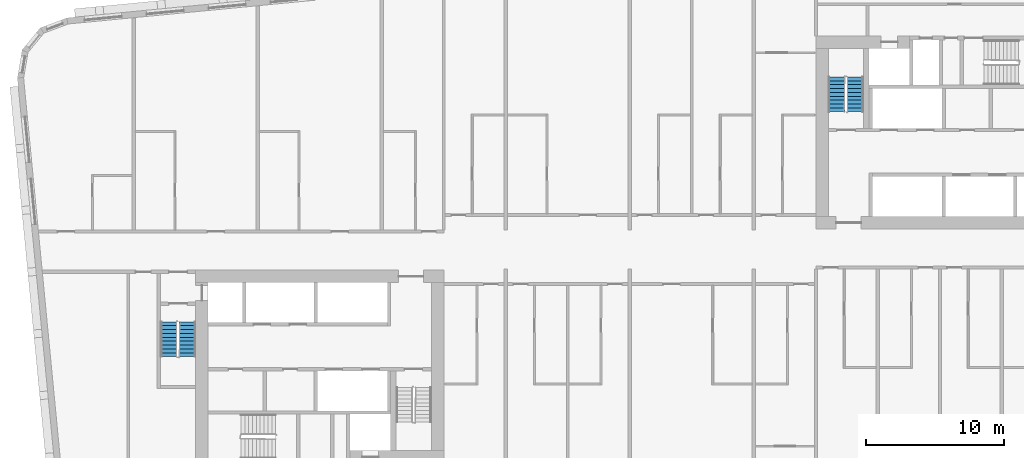
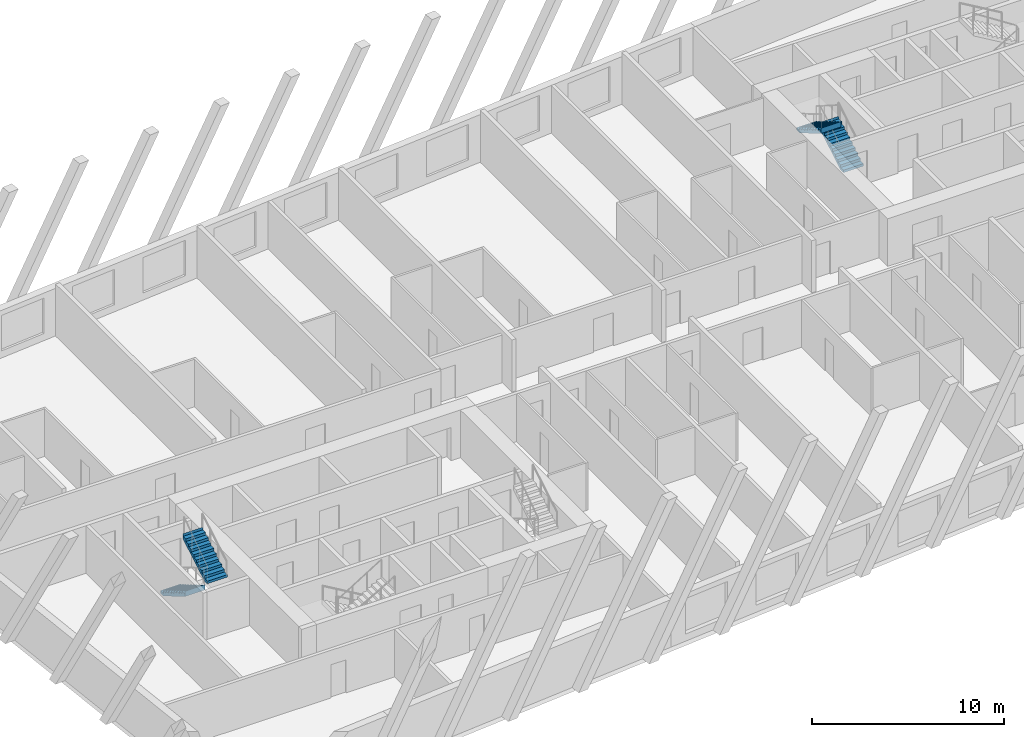
# One storey, part 10 of 13: 4 stair flights, 2 elements without a shape of their own.
"""IFC4 building model written with IfcOpenShell, lengths in metres."""

from ifc_helpers import new_model, si_unit, direction, frame, origin, place, context, subcontext, project, spatial, faceted_brep, material, type_object, element, aggregate, save


model = new_model("IFC4")

# Units and contexts
model_context = context("Model", 3, precision=1e-05, world=origin(), true_north=direction((0.0, 1.0)))
body_context = subcontext(model_context, "Body", "Model", "MODEL_VIEW")
ifc_project = project(units=[si_unit("LENGTHUNIT", "METRE"), si_unit("AREAUNIT", "SQUARE_METRE"), si_unit("VOLUMEUNIT", "CUBIC_METRE"), si_unit("PLANEANGLEUNIT", "RADIAN"), si_unit("MASSUNIT", "GRAM", prefix="KILO")], contexts=[model_context])

# Site, building, storey
site_placement = place(None, origin())
site = spatial("IfcSite", under=ifc_project, at=site_placement, CompositionType="ELEMENT")
building_placement = place(site_placement, origin())
building = spatial("IfcBuilding", under=site, at=building_placement, Name="Kajstack Hotel Tower", CompositionType="ELEMENT")
storey_placement = place(building_placement, frame((0.0, 0.0, 196.60009765625)))
storey = spatial("IfcBuildingStorey", under=building, at=storey_placement, Name="L47", CompositionType="ELEMENT", Elevation=196.60009765625)

# Stair, stair flights
ifc_material = material(Name="Concrete C40/50", Category="concrete")
stair_type = type_object("IfcStairType", Name="Exit stair 1200", PredefinedType="HALF_TURN_STAIR", material=ifc_material)
stair_1_placement = place(storey_placement, origin())
stair_1 = element("IfcStair", 1, at=stair_1_placement, inside=storey, type_object=stair_type, Name="L47 stair W1", PredefinedType="HALF_TURN_STAIR")
stair_flight_type = type_object("IfcStairFlightType", Name="Exit stair flight 1200", PredefinedType="STRAIGHT", material=ifc_material)
stair_flight_1_placement = place(storey_placement, frame((-33.449951171875, -5.25, 0.0), z_axis=(0.0, 0.0, 1.0), x_axis=(0.0, -1.0, 0.0)))
stair_flight_1 = element("IfcStairFlight", 2, at=stair_flight_1_placement, type_object=stair_flight_type, Name="W1 flight 1", NumberOfRisers=10, NumberOfTreads=9, PredefinedType="STRAIGHT", RiserHeight=0.165, TreadLength=0.28, context=body_context, shape_type="Brep", body=[
    faceted_brep([(0.295654296875, -0.60009765625, 0.0), (2.5205078125, -0.60009765625, 1.31103515625), (2.5205078125, -0.60009765625, 1.64990234375), (2.52001953125, -0.60009765625, 1.64990234375), (2.52001953125, -0.60009765625, 1.485107421875), (2.239990234375, -0.60009765625, 1.485107421875), (2.239990234375, -0.60009765625, 1.320068359375), (1.9599609375, -0.60009765625, 1.320068359375), (1.9599609375, -0.60009765625, 1.155029296875), (1.679931640625, -0.60009765625, 1.155029296875), (1.679931640625, -0.60009765625, 0.989990234375), (1.39990234375, -0.60009765625, 0.989990234375), (1.39990234375, -0.60009765625, 0.824951171875), (1.1201171875, -0.60009765625, 0.824951171875), (1.1201171875, -0.60009765625, 0.659912109375), (0.840087890625, -0.60009765625, 0.659912109375), (0.840087890625, -0.60009765625, 0.4951171875), (0.56005859375, -0.60009765625, 0.4951171875), (0.56005859375, -0.60009765625, 0.330078125), (0.280029296875, -0.60009765625, 0.330078125), (0.280029296875, -0.60009765625, 0.1650390625), (-0.00048828125, -0.60009765625, 0.1650390625), (-0.00048828125, -0.60009765625, 0.0), (-0.00048828125, 0.60009765625, 0.0), (-0.00048828125, 0.60009765625, 0.1650390625), (0.280029296875, 0.60009765625, 0.1650390625), (0.280029296875, 0.60009765625, 0.330078125), (0.56005859375, 0.60009765625, 0.330078125), (0.56005859375, 0.60009765625, 0.4951171875), (0.840087890625, 0.60009765625, 0.4951171875), (0.840087890625, 0.60009765625, 0.659912109375), (1.1201171875, 0.60009765625, 0.659912109375), (1.1201171875, 0.60009765625, 0.824951171875), (1.39990234375, 0.60009765625, 0.824951171875), (1.39990234375, 0.60009765625, 0.989990234375), (1.679931640625, 0.60009765625, 0.989990234375), (1.679931640625, 0.60009765625, 1.155029296875), (1.9599609375, 0.60009765625, 1.155029296875), (1.9599609375, 0.60009765625, 1.320068359375), (2.239990234375, 0.60009765625, 1.320068359375), (2.239990234375, 0.60009765625, 1.485107421875), (2.52001953125, 0.60009765625, 1.485107421875), (2.52001953125, 0.60009765625, 1.64990234375), (2.5205078125, 0.60009765625, 1.64990234375), (2.5205078125, 0.60009765625, 1.31103515625), (0.295654296875, 0.60009765625, 0.0), (-0.00048828125, -0.300048828125, 0.1650390625), (-0.00048828125, 0.0, 0.1650390625), (-0.00048828125, 0.300048828125, 0.1650390625), (-0.00048828125, 0.300048828125, 0.0), (-0.00048828125, 0.0, 0.0), (-0.00048828125, -0.300048828125, 0.0), (0.280029296875, -0.300048828125, 0.1650390625), (0.280029296875, 0.0, 0.1650390625), (0.280029296875, 0.300048828125, 0.1650390625), (0.280029296875, -0.300048828125, 0.330078125), (0.280029296875, 0.0, 0.330078125), (0.280029296875, 0.300048828125, 0.330078125), (0.56005859375, -0.300048828125, 0.330078125), (0.56005859375, 0.0, 0.330078125), (0.56005859375, 0.300048828125, 0.330078125), (0.56005859375, -0.300048828125, 0.4951171875), (0.56005859375, 0.0, 0.4951171875), (0.56005859375, 0.300048828125, 0.4951171875), (0.840087890625, -0.300048828125, 0.4951171875), (0.840087890625, 0.0, 0.4951171875), (0.840087890625, 0.300048828125, 0.4951171875), (0.840087890625, -0.300048828125, 0.659912109375), (0.840087890625, 0.0, 0.659912109375), (0.840087890625, 0.300048828125, 0.659912109375), (1.1201171875, -0.300048828125, 0.659912109375), (1.1201171875, 0.0, 0.659912109375), (1.1201171875, 0.300048828125, 0.659912109375), (1.1201171875, -0.300048828125, 0.824951171875), (1.1201171875, 0.0, 0.824951171875), (1.1201171875, 0.300048828125, 0.824951171875), (1.39990234375, -0.300048828125, 0.824951171875), (1.39990234375, 0.0, 0.824951171875), (1.39990234375, 0.300048828125, 0.824951171875), (1.39990234375, -0.300048828125, 0.989990234375), (1.39990234375, 0.0, 0.989990234375), (1.39990234375, 0.300048828125, 0.989990234375), (1.679931640625, -0.300048828125, 0.989990234375), (1.679931640625, 0.0, 0.989990234375), (1.679931640625, 0.300048828125, 0.989990234375), (1.679931640625, -0.300048828125, 1.155029296875), (1.679931640625, 0.0, 1.155029296875), (1.679931640625, 0.300048828125, 1.155029296875), (1.9599609375, -0.300048828125, 1.155029296875), (1.9599609375, 0.0, 1.155029296875), (1.9599609375, 0.300048828125, 1.155029296875), (1.9599609375, -0.300048828125, 1.320068359375), (1.9599609375, 0.0, 1.320068359375), (1.9599609375, 0.300048828125, 1.320068359375), (2.239990234375, -0.300048828125, 1.320068359375), (2.239990234375, 0.0, 1.320068359375), (2.239990234375, 0.300048828125, 1.320068359375), (2.239990234375, -0.300048828125, 1.485107421875), (2.239990234375, 0.0, 1.485107421875), (2.239990234375, 0.300048828125, 1.485107421875), (2.52001953125, -0.300048828125, 1.485107421875), (2.52001953125, 0.0, 1.485107421875), (2.52001953125, 0.300048828125, 1.485107421875), (2.52001953125, -0.300048828125, 1.64990234375), (2.52001953125, 0.0, 1.64990234375), (2.52001953125, 0.300048828125, 1.64990234375), (2.5205078125, -0.300048828125, 1.64990234375), (2.5205078125, 0.0, 1.64990234375), (2.5205078125, 0.300048828125, 1.64990234375), (2.5205078125, -0.300048828125, 1.31103515625), (2.5205078125, 0.0, 1.31103515625), (2.5205078125, 0.300048828125, 1.31103515625), (0.295654296875, -0.300048828125, 0.0), (0.295654296875, 0.0, 0.0), (0.295654296875, 0.300048828125, 0.0)], [[[0, 1, 2, 3, 4, 5, 6, 7, 8, 9, 10, 11, 12, 13, 14, 15, 16, 17, 18, 19, 20, 21, 22]], [[23, 24, 25, 26, 27, 28, 29, 30, 31, 32, 33, 34, 35, 36, 37, 38, 39, 40, 41, 42, 43, 44, 45]], [[21, 46, 47, 48, 24, 23, 49, 50, 51, 22]], [[20, 52, 53, 54, 25, 24, 48, 47, 46, 21]], [[19, 55, 56, 57, 26, 25, 54, 53, 52, 20]], [[18, 58, 59, 60, 27, 26, 57, 56, 55, 19]], [[17, 61, 62, 63, 28, 27, 60, 59, 58, 18]], [[16, 64, 65, 66, 29, 28, 63, 62, 61, 17]], [[15, 67, 68, 69, 30, 29, 66, 65, 64, 16]], [[14, 70, 71, 72, 31, 30, 69, 68, 67, 15]], [[13, 73, 74, 75, 32, 31, 72, 71, 70, 14]], [[12, 76, 77, 78, 33, 32, 75, 74, 73, 13]], [[11, 79, 80, 81, 34, 33, 78, 77, 76, 12]], [[10, 82, 83, 84, 35, 34, 81, 80, 79, 11]], [[9, 85, 86, 87, 36, 35, 84, 83, 82, 10]], [[8, 88, 89, 90, 37, 36, 87, 86, 85, 9]], [[7, 91, 92, 93, 38, 37, 90, 89, 88, 8]], [[6, 94, 95, 96, 39, 38, 93, 92, 91, 7]], [[5, 97, 98, 99, 40, 39, 96, 95, 94, 6]], [[4, 100, 101, 102, 41, 40, 99, 98, 97, 5]], [[3, 103, 104, 105, 42, 41, 102, 101, 100, 4]], [[2, 106, 107, 108, 43, 42, 105, 104, 103, 3]], [[1, 109, 110, 111, 44, 43, 108, 107, 106, 2]], [[0, 112, 113, 114, 45, 44, 111, 110, 109, 1]], [[22, 51, 50, 49, 23, 45, 114, 113, 112, 0]]]),
])
stair_flight_2_placement = place(storey_placement, frame((-32.10009765625, -7.77001953125, 1.64990234375), z_axis=(0.0, 0.0, 1.0), x_axis=(0.0, 1.0, 0.0)))
stair_flight_2 = element("IfcStairFlight", 3, at=stair_flight_2_placement, type_object=stair_flight_type, Name="W1 flight 2", NumberOfRisers=10, NumberOfTreads=9, PredefinedType="STRAIGHT", RiserHeight=0.165, TreadLength=0.28, context=body_context, shape_type="Brep", body=[
    faceted_brep([(0.295654296875, -0.60009765625, 0.0), (2.5205078125, -0.60009765625, 1.31103515625), (2.5205078125, -0.60009765625, 1.64990234375), (2.52001953125, -0.60009765625, 1.64990234375), (2.52001953125, -0.60009765625, 1.485107421875), (2.239990234375, -0.60009765625, 1.485107421875), (2.239990234375, -0.60009765625, 1.320068359375), (1.9599609375, -0.60009765625, 1.320068359375), (1.9599609375, -0.60009765625, 1.155029296875), (1.679931640625, -0.60009765625, 1.155029296875), (1.679931640625, -0.60009765625, 0.989990234375), (1.39990234375, -0.60009765625, 0.989990234375), (1.39990234375, -0.60009765625, 0.824951171875), (1.1201171875, -0.60009765625, 0.824951171875), (1.1201171875, -0.60009765625, 0.659912109375), (0.840087890625, -0.60009765625, 0.659912109375), (0.840087890625, -0.60009765625, 0.4951171875), (0.56005859375, -0.60009765625, 0.4951171875), (0.56005859375, -0.60009765625, 0.330078125), (0.280029296875, -0.60009765625, 0.330078125), (0.280029296875, -0.60009765625, 0.1650390625), (-0.00048828125, -0.60009765625, 0.1650390625), (-0.00048828125, -0.60009765625, 0.0), (-0.00048828125, 0.60009765625, 0.0), (-0.00048828125, 0.60009765625, 0.1650390625), (0.280029296875, 0.60009765625, 0.1650390625), (0.280029296875, 0.60009765625, 0.330078125), (0.56005859375, 0.60009765625, 0.330078125), (0.56005859375, 0.60009765625, 0.4951171875), (0.840087890625, 0.60009765625, 0.4951171875), (0.840087890625, 0.60009765625, 0.659912109375), (1.1201171875, 0.60009765625, 0.659912109375), (1.1201171875, 0.60009765625, 0.824951171875), (1.39990234375, 0.60009765625, 0.824951171875), (1.39990234375, 0.60009765625, 0.989990234375), (1.679931640625, 0.60009765625, 0.989990234375), (1.679931640625, 0.60009765625, 1.155029296875), (1.9599609375, 0.60009765625, 1.155029296875), (1.9599609375, 0.60009765625, 1.320068359375), (2.239990234375, 0.60009765625, 1.320068359375), (2.239990234375, 0.60009765625, 1.485107421875), (2.52001953125, 0.60009765625, 1.485107421875), (2.52001953125, 0.60009765625, 1.64990234375), (2.5205078125, 0.60009765625, 1.64990234375), (2.5205078125, 0.60009765625, 1.31103515625), (0.295654296875, 0.60009765625, 0.0), (-0.00048828125, -0.300048828125, 0.1650390625), (-0.00048828125, 0.0, 0.1650390625), (-0.00048828125, 0.300048828125, 0.1650390625), (-0.00048828125, 0.300048828125, 0.0), (-0.00048828125, 0.0, 0.0), (-0.00048828125, -0.300048828125, 0.0), (0.280029296875, -0.300048828125, 0.1650390625), (0.280029296875, 0.0, 0.1650390625), (0.280029296875, 0.300048828125, 0.1650390625), (0.280029296875, -0.300048828125, 0.330078125), (0.280029296875, 0.0, 0.330078125), (0.280029296875, 0.300048828125, 0.330078125), (0.56005859375, -0.300048828125, 0.330078125), (0.56005859375, 0.0, 0.330078125), (0.56005859375, 0.300048828125, 0.330078125), (0.56005859375, -0.300048828125, 0.4951171875), (0.56005859375, 0.0, 0.4951171875), (0.56005859375, 0.300048828125, 0.4951171875), (0.840087890625, -0.300048828125, 0.4951171875), (0.840087890625, 0.0, 0.4951171875), (0.840087890625, 0.300048828125, 0.4951171875), (0.840087890625, -0.300048828125, 0.659912109375), (0.840087890625, 0.0, 0.659912109375), (0.840087890625, 0.300048828125, 0.659912109375), (1.1201171875, -0.300048828125, 0.659912109375), (1.1201171875, 0.0, 0.659912109375), (1.1201171875, 0.300048828125, 0.659912109375), (1.1201171875, -0.300048828125, 0.824951171875), (1.1201171875, 0.0, 0.824951171875), (1.1201171875, 0.300048828125, 0.824951171875), (1.39990234375, -0.300048828125, 0.824951171875), (1.39990234375, 0.0, 0.824951171875), (1.39990234375, 0.300048828125, 0.824951171875), (1.39990234375, -0.300048828125, 0.989990234375), (1.39990234375, 0.0, 0.989990234375), (1.39990234375, 0.300048828125, 0.989990234375), (1.679931640625, -0.300048828125, 0.989990234375), (1.679931640625, 0.0, 0.989990234375), (1.679931640625, 0.300048828125, 0.989990234375), (1.679931640625, -0.300048828125, 1.155029296875), (1.679931640625, 0.0, 1.155029296875), (1.679931640625, 0.300048828125, 1.155029296875), (1.9599609375, -0.300048828125, 1.155029296875), (1.9599609375, 0.0, 1.155029296875), (1.9599609375, 0.300048828125, 1.155029296875), (1.9599609375, -0.300048828125, 1.320068359375), (1.9599609375, 0.0, 1.320068359375), (1.9599609375, 0.300048828125, 1.320068359375), (2.239990234375, -0.300048828125, 1.320068359375), (2.239990234375, 0.0, 1.320068359375), (2.239990234375, 0.300048828125, 1.320068359375), (2.239990234375, -0.300048828125, 1.485107421875), (2.239990234375, 0.0, 1.485107421875), (2.239990234375, 0.300048828125, 1.485107421875), (2.52001953125, -0.300048828125, 1.485107421875), (2.52001953125, 0.0, 1.485107421875), (2.52001953125, 0.300048828125, 1.485107421875), (2.52001953125, -0.300048828125, 1.64990234375), (2.52001953125, 0.0, 1.64990234375), (2.52001953125, 0.300048828125, 1.64990234375), (2.5205078125, -0.300048828125, 1.64990234375), (2.5205078125, 0.0, 1.64990234375), (2.5205078125, 0.300048828125, 1.64990234375), (2.5205078125, -0.300048828125, 1.31103515625), (2.5205078125, 0.0, 1.31103515625), (2.5205078125, 0.300048828125, 1.31103515625), (0.295654296875, -0.300048828125, 0.0), (0.295654296875, 0.0, 0.0), (0.295654296875, 0.300048828125, 0.0)], [[[0, 1, 2, 3, 4, 5, 6, 7, 8, 9, 10, 11, 12, 13, 14, 15, 16, 17, 18, 19, 20, 21, 22]], [[23, 24, 25, 26, 27, 28, 29, 30, 31, 32, 33, 34, 35, 36, 37, 38, 39, 40, 41, 42, 43, 44, 45]], [[21, 46, 47, 48, 24, 23, 49, 50, 51, 22]], [[20, 52, 53, 54, 25, 24, 48, 47, 46, 21]], [[19, 55, 56, 57, 26, 25, 54, 53, 52, 20]], [[18, 58, 59, 60, 27, 26, 57, 56, 55, 19]], [[17, 61, 62, 63, 28, 27, 60, 59, 58, 18]], [[16, 64, 65, 66, 29, 28, 63, 62, 61, 17]], [[15, 67, 68, 69, 30, 29, 66, 65, 64, 16]], [[14, 70, 71, 72, 31, 30, 69, 68, 67, 15]], [[13, 73, 74, 75, 32, 31, 72, 71, 70, 14]], [[12, 76, 77, 78, 33, 32, 75, 74, 73, 13]], [[11, 79, 80, 81, 34, 33, 78, 77, 76, 12]], [[10, 82, 83, 84, 35, 34, 81, 80, 79, 11]], [[9, 85, 86, 87, 36, 35, 84, 83, 82, 10]], [[8, 88, 89, 90, 37, 36, 87, 86, 85, 9]], [[7, 91, 92, 93, 38, 37, 90, 89, 88, 8]], [[6, 94, 95, 96, 39, 38, 93, 92, 91, 7]], [[5, 97, 98, 99, 40, 39, 96, 95, 94, 6]], [[4, 100, 101, 102, 41, 40, 99, 98, 97, 5]], [[3, 103, 104, 105, 42, 41, 102, 101, 100, 4]], [[2, 106, 107, 108, 43, 42, 105, 104, 103, 3]], [[1, 109, 110, 111, 44, 43, 108, 107, 106, 2]], [[0, 112, 113, 114, 45, 44, 111, 110, 109, 1]], [[22, 51, 50, 49, 23, 45, 114, 113, 112, 0]]]),
])
aggregate(stair_1, [stair_flight_1, stair_flight_2])

stair_2_placement = place(storey_placement, origin())
stair_2 = element("IfcStair", 4, at=stair_2_placement, inside=storey, type_object=stair_type, Name="L47 stair E2", PredefinedType="HALF_TURN_STAIR")
stair_flight_3_placement = place(storey_placement, frame((16.35009765625, 10.0, 0.0), z_axis=(0.0, 0.0, 1.0), x_axis=(0.0, 1.0, 0.0)))
stair_flight_3 = element("IfcStairFlight", 5, at=stair_flight_3_placement, type_object=stair_flight_type, Name="E2 flight 1", NumberOfRisers=10, NumberOfTreads=9, PredefinedType="STRAIGHT", RiserHeight=0.165, TreadLength=0.28, context=body_context, shape_type="Brep", body=[
    faceted_brep([(0.295654296875, -0.60009765625, 0.0), (2.5205078125, -0.60009765625, 1.31103515625), (2.5205078125, -0.60009765625, 1.64990234375), (2.52001953125, -0.60009765625, 1.64990234375), (2.52001953125, -0.60009765625, 1.485107421875), (2.239990234375, -0.60009765625, 1.485107421875), (2.239990234375, -0.60009765625, 1.320068359375), (1.9599609375, -0.60009765625, 1.320068359375), (1.9599609375, -0.60009765625, 1.155029296875), (1.679931640625, -0.60009765625, 1.155029296875), (1.679931640625, -0.60009765625, 0.989990234375), (1.39990234375, -0.60009765625, 0.989990234375), (1.39990234375, -0.60009765625, 0.824951171875), (1.1201171875, -0.60009765625, 0.824951171875), (1.1201171875, -0.60009765625, 0.659912109375), (0.840087890625, -0.60009765625, 0.659912109375), (0.840087890625, -0.60009765625, 0.4951171875), (0.56005859375, -0.60009765625, 0.4951171875), (0.56005859375, -0.60009765625, 0.330078125), (0.280029296875, -0.60009765625, 0.330078125), (0.280029296875, -0.60009765625, 0.1650390625), (-0.00048828125, -0.60009765625, 0.1650390625), (-0.00048828125, -0.60009765625, 0.0), (-0.00048828125, 0.60009765625, 0.0), (-0.00048828125, 0.60009765625, 0.1650390625), (0.280029296875, 0.60009765625, 0.1650390625), (0.280029296875, 0.60009765625, 0.330078125), (0.56005859375, 0.60009765625, 0.330078125), (0.56005859375, 0.60009765625, 0.4951171875), (0.840087890625, 0.60009765625, 0.4951171875), (0.840087890625, 0.60009765625, 0.659912109375), (1.1201171875, 0.60009765625, 0.659912109375), (1.1201171875, 0.60009765625, 0.824951171875), (1.39990234375, 0.60009765625, 0.824951171875), (1.39990234375, 0.60009765625, 0.989990234375), (1.679931640625, 0.60009765625, 0.989990234375), (1.679931640625, 0.60009765625, 1.155029296875), (1.9599609375, 0.60009765625, 1.155029296875), (1.9599609375, 0.60009765625, 1.320068359375), (2.239990234375, 0.60009765625, 1.320068359375), (2.239990234375, 0.60009765625, 1.485107421875), (2.52001953125, 0.60009765625, 1.485107421875), (2.52001953125, 0.60009765625, 1.64990234375), (2.5205078125, 0.60009765625, 1.64990234375), (2.5205078125, 0.60009765625, 1.31103515625), (0.295654296875, 0.60009765625, 0.0), (-0.00048828125, -0.300048828125, 0.1650390625), (-0.00048828125, 0.0, 0.1650390625), (-0.00048828125, 0.300048828125, 0.1650390625), (-0.00048828125, 0.300048828125, 0.0), (-0.00048828125, 0.0, 0.0), (-0.00048828125, -0.300048828125, 0.0), (0.280029296875, -0.300048828125, 0.1650390625), (0.280029296875, 0.0, 0.1650390625), (0.280029296875, 0.300048828125, 0.1650390625), (0.280029296875, -0.300048828125, 0.330078125), (0.280029296875, 0.0, 0.330078125), (0.280029296875, 0.300048828125, 0.330078125), (0.56005859375, -0.300048828125, 0.330078125), (0.56005859375, 0.0, 0.330078125), (0.56005859375, 0.300048828125, 0.330078125), (0.56005859375, -0.300048828125, 0.4951171875), (0.56005859375, 0.0, 0.4951171875), (0.56005859375, 0.300048828125, 0.4951171875), (0.840087890625, -0.300048828125, 0.4951171875), (0.840087890625, 0.0, 0.4951171875), (0.840087890625, 0.300048828125, 0.4951171875), (0.840087890625, -0.300048828125, 0.659912109375), (0.840087890625, 0.0, 0.659912109375), (0.840087890625, 0.300048828125, 0.659912109375), (1.1201171875, -0.300048828125, 0.659912109375), (1.1201171875, 0.0, 0.659912109375), (1.1201171875, 0.300048828125, 0.659912109375), (1.1201171875, -0.300048828125, 0.824951171875), (1.1201171875, 0.0, 0.824951171875), (1.1201171875, 0.300048828125, 0.824951171875), (1.39990234375, -0.300048828125, 0.824951171875), (1.39990234375, 0.0, 0.824951171875), (1.39990234375, 0.300048828125, 0.824951171875), (1.39990234375, -0.300048828125, 0.989990234375), (1.39990234375, 0.0, 0.989990234375), (1.39990234375, 0.300048828125, 0.989990234375), (1.679931640625, -0.300048828125, 0.989990234375), (1.679931640625, 0.0, 0.989990234375), (1.679931640625, 0.300048828125, 0.989990234375), (1.679931640625, -0.300048828125, 1.155029296875), (1.679931640625, 0.0, 1.155029296875), (1.679931640625, 0.300048828125, 1.155029296875), (1.9599609375, -0.300048828125, 1.155029296875), (1.9599609375, 0.0, 1.155029296875), (1.9599609375, 0.300048828125, 1.155029296875), (1.9599609375, -0.300048828125, 1.320068359375), (1.9599609375, 0.0, 1.320068359375), (1.9599609375, 0.300048828125, 1.320068359375), (2.239990234375, -0.300048828125, 1.320068359375), (2.239990234375, 0.0, 1.320068359375), (2.239990234375, 0.300048828125, 1.320068359375), (2.239990234375, -0.300048828125, 1.485107421875), (2.239990234375, 0.0, 1.485107421875), (2.239990234375, 0.300048828125, 1.485107421875), (2.52001953125, -0.300048828125, 1.485107421875), (2.52001953125, 0.0, 1.485107421875), (2.52001953125, 0.300048828125, 1.485107421875), (2.52001953125, -0.300048828125, 1.64990234375), (2.52001953125, 0.0, 1.64990234375), (2.52001953125, 0.300048828125, 1.64990234375), (2.5205078125, -0.300048828125, 1.64990234375), (2.5205078125, 0.0, 1.64990234375), (2.5205078125, 0.300048828125, 1.64990234375), (2.5205078125, -0.300048828125, 1.31103515625), (2.5205078125, 0.0, 1.31103515625), (2.5205078125, 0.300048828125, 1.31103515625), (0.295654296875, -0.300048828125, 0.0), (0.295654296875, 0.0, 0.0), (0.295654296875, 0.300048828125, 0.0)], [[[0, 1, 2, 3, 4, 5, 6, 7, 8, 9, 10, 11, 12, 13, 14, 15, 16, 17, 18, 19, 20, 21, 22]], [[23, 24, 25, 26, 27, 28, 29, 30, 31, 32, 33, 34, 35, 36, 37, 38, 39, 40, 41, 42, 43, 44, 45]], [[21, 46, 47, 48, 24, 23, 49, 50, 51, 22]], [[20, 52, 53, 54, 25, 24, 48, 47, 46, 21]], [[19, 55, 56, 57, 26, 25, 54, 53, 52, 20]], [[18, 58, 59, 60, 27, 26, 57, 56, 55, 19]], [[17, 61, 62, 63, 28, 27, 60, 59, 58, 18]], [[16, 64, 65, 66, 29, 28, 63, 62, 61, 17]], [[15, 67, 68, 69, 30, 29, 66, 65, 64, 16]], [[14, 70, 71, 72, 31, 30, 69, 68, 67, 15]], [[13, 73, 74, 75, 32, 31, 72, 71, 70, 14]], [[12, 76, 77, 78, 33, 32, 75, 74, 73, 13]], [[11, 79, 80, 81, 34, 33, 78, 77, 76, 12]], [[10, 82, 83, 84, 35, 34, 81, 80, 79, 11]], [[9, 85, 86, 87, 36, 35, 84, 83, 82, 10]], [[8, 88, 89, 90, 37, 36, 87, 86, 85, 9]], [[7, 91, 92, 93, 38, 37, 90, 89, 88, 8]], [[6, 94, 95, 96, 39, 38, 93, 92, 91, 7]], [[5, 97, 98, 99, 40, 39, 96, 95, 94, 6]], [[4, 100, 101, 102, 41, 40, 99, 98, 97, 5]], [[3, 103, 104, 105, 42, 41, 102, 101, 100, 4]], [[2, 106, 107, 108, 43, 42, 105, 104, 103, 3]], [[1, 109, 110, 111, 44, 43, 108, 107, 106, 2]], [[0, 112, 113, 114, 45, 44, 111, 110, 109, 1]], [[22, 51, 50, 49, 23, 45, 114, 113, 112, 0]]]),
])
stair_flight_4_placement = place(storey_placement, frame((15.0, 12.52001953125, 1.64990234375), z_axis=(0.0, 0.0, 1.0), x_axis=(0.0, -1.0, 0.0)))
stair_flight_4 = element("IfcStairFlight", 6, at=stair_flight_4_placement, type_object=stair_flight_type, Name="E2 flight 2", NumberOfRisers=10, NumberOfTreads=9, PredefinedType="STRAIGHT", RiserHeight=0.165, TreadLength=0.28, context=body_context, shape_type="Brep", body=[
    faceted_brep([(0.295654296875, -0.60009765625, 0.0), (2.5205078125, -0.60009765625, 1.31103515625), (2.5205078125, -0.60009765625, 1.64990234375), (2.52001953125, -0.60009765625, 1.64990234375), (2.52001953125, -0.60009765625, 1.485107421875), (2.239990234375, -0.60009765625, 1.485107421875), (2.239990234375, -0.60009765625, 1.320068359375), (1.9599609375, -0.60009765625, 1.320068359375), (1.9599609375, -0.60009765625, 1.155029296875), (1.679931640625, -0.60009765625, 1.155029296875), (1.679931640625, -0.60009765625, 0.989990234375), (1.39990234375, -0.60009765625, 0.989990234375), (1.39990234375, -0.60009765625, 0.824951171875), (1.1201171875, -0.60009765625, 0.824951171875), (1.1201171875, -0.60009765625, 0.659912109375), (0.840087890625, -0.60009765625, 0.659912109375), (0.840087890625, -0.60009765625, 0.4951171875), (0.56005859375, -0.60009765625, 0.4951171875), (0.56005859375, -0.60009765625, 0.330078125), (0.280029296875, -0.60009765625, 0.330078125), (0.280029296875, -0.60009765625, 0.1650390625), (-0.00048828125, -0.60009765625, 0.1650390625), (-0.00048828125, -0.60009765625, 0.0), (-0.00048828125, 0.60009765625, 0.0), (-0.00048828125, 0.60009765625, 0.1650390625), (0.280029296875, 0.60009765625, 0.1650390625), (0.280029296875, 0.60009765625, 0.330078125), (0.56005859375, 0.60009765625, 0.330078125), (0.56005859375, 0.60009765625, 0.4951171875), (0.840087890625, 0.60009765625, 0.4951171875), (0.840087890625, 0.60009765625, 0.659912109375), (1.1201171875, 0.60009765625, 0.659912109375), (1.1201171875, 0.60009765625, 0.824951171875), (1.39990234375, 0.60009765625, 0.824951171875), (1.39990234375, 0.60009765625, 0.989990234375), (1.679931640625, 0.60009765625, 0.989990234375), (1.679931640625, 0.60009765625, 1.155029296875), (1.9599609375, 0.60009765625, 1.155029296875), (1.9599609375, 0.60009765625, 1.320068359375), (2.239990234375, 0.60009765625, 1.320068359375), (2.239990234375, 0.60009765625, 1.485107421875), (2.52001953125, 0.60009765625, 1.485107421875), (2.52001953125, 0.60009765625, 1.64990234375), (2.5205078125, 0.60009765625, 1.64990234375), (2.5205078125, 0.60009765625, 1.31103515625), (0.295654296875, 0.60009765625, 0.0), (-0.00048828125, -0.300048828125, 0.1650390625), (-0.00048828125, 0.0, 0.1650390625), (-0.00048828125, 0.300048828125, 0.1650390625), (-0.00048828125, 0.300048828125, 0.0), (-0.00048828125, 0.0, 0.0), (-0.00048828125, -0.300048828125, 0.0), (0.280029296875, -0.300048828125, 0.1650390625), (0.280029296875, 0.0, 0.1650390625), (0.280029296875, 0.300048828125, 0.1650390625), (0.280029296875, -0.300048828125, 0.330078125), (0.280029296875, 0.0, 0.330078125), (0.280029296875, 0.300048828125, 0.330078125), (0.56005859375, -0.300048828125, 0.330078125), (0.56005859375, 0.0, 0.330078125), (0.56005859375, 0.300048828125, 0.330078125), (0.56005859375, -0.300048828125, 0.4951171875), (0.56005859375, 0.0, 0.4951171875), (0.56005859375, 0.300048828125, 0.4951171875), (0.840087890625, -0.300048828125, 0.4951171875), (0.840087890625, 0.0, 0.4951171875), (0.840087890625, 0.300048828125, 0.4951171875), (0.840087890625, -0.300048828125, 0.659912109375), (0.840087890625, 0.0, 0.659912109375), (0.840087890625, 0.300048828125, 0.659912109375), (1.1201171875, -0.300048828125, 0.659912109375), (1.1201171875, 0.0, 0.659912109375), (1.1201171875, 0.300048828125, 0.659912109375), (1.1201171875, -0.300048828125, 0.824951171875), (1.1201171875, 0.0, 0.824951171875), (1.1201171875, 0.300048828125, 0.824951171875), (1.39990234375, -0.300048828125, 0.824951171875), (1.39990234375, 0.0, 0.824951171875), (1.39990234375, 0.300048828125, 0.824951171875), (1.39990234375, -0.300048828125, 0.989990234375), (1.39990234375, 0.0, 0.989990234375), (1.39990234375, 0.300048828125, 0.989990234375), (1.679931640625, -0.300048828125, 0.989990234375), (1.679931640625, 0.0, 0.989990234375), (1.679931640625, 0.300048828125, 0.989990234375), (1.679931640625, -0.300048828125, 1.155029296875), (1.679931640625, 0.0, 1.155029296875), (1.679931640625, 0.300048828125, 1.155029296875), (1.9599609375, -0.300048828125, 1.155029296875), (1.9599609375, 0.0, 1.155029296875), (1.9599609375, 0.300048828125, 1.155029296875), (1.9599609375, -0.300048828125, 1.320068359375), (1.9599609375, 0.0, 1.320068359375), (1.9599609375, 0.300048828125, 1.320068359375), (2.239990234375, -0.300048828125, 1.320068359375), (2.239990234375, 0.0, 1.320068359375), (2.239990234375, 0.300048828125, 1.320068359375), (2.239990234375, -0.300048828125, 1.485107421875), (2.239990234375, 0.0, 1.485107421875), (2.239990234375, 0.300048828125, 1.485107421875), (2.52001953125, -0.300048828125, 1.485107421875), (2.52001953125, 0.0, 1.485107421875), (2.52001953125, 0.300048828125, 1.485107421875), (2.52001953125, -0.300048828125, 1.64990234375), (2.52001953125, 0.0, 1.64990234375), (2.52001953125, 0.300048828125, 1.64990234375), (2.5205078125, -0.300048828125, 1.64990234375), (2.5205078125, 0.0, 1.64990234375), (2.5205078125, 0.300048828125, 1.64990234375), (2.5205078125, -0.300048828125, 1.31103515625), (2.5205078125, 0.0, 1.31103515625), (2.5205078125, 0.300048828125, 1.31103515625), (0.295654296875, -0.300048828125, 0.0), (0.295654296875, 0.0, 0.0), (0.295654296875, 0.300048828125, 0.0)], [[[0, 1, 2, 3, 4, 5, 6, 7, 8, 9, 10, 11, 12, 13, 14, 15, 16, 17, 18, 19, 20, 21, 22]], [[23, 24, 25, 26, 27, 28, 29, 30, 31, 32, 33, 34, 35, 36, 37, 38, 39, 40, 41, 42, 43, 44, 45]], [[21, 46, 47, 48, 24, 23, 49, 50, 51, 22]], [[20, 52, 53, 54, 25, 24, 48, 47, 46, 21]], [[19, 55, 56, 57, 26, 25, 54, 53, 52, 20]], [[18, 58, 59, 60, 27, 26, 57, 56, 55, 19]], [[17, 61, 62, 63, 28, 27, 60, 59, 58, 18]], [[16, 64, 65, 66, 29, 28, 63, 62, 61, 17]], [[15, 67, 68, 69, 30, 29, 66, 65, 64, 16]], [[14, 70, 71, 72, 31, 30, 69, 68, 67, 15]], [[13, 73, 74, 75, 32, 31, 72, 71, 70, 14]], [[12, 76, 77, 78, 33, 32, 75, 74, 73, 13]], [[11, 79, 80, 81, 34, 33, 78, 77, 76, 12]], [[10, 82, 83, 84, 35, 34, 81, 80, 79, 11]], [[9, 85, 86, 87, 36, 35, 84, 83, 82, 10]], [[8, 88, 89, 90, 37, 36, 87, 86, 85, 9]], [[7, 91, 92, 93, 38, 37, 90, 89, 88, 8]], [[6, 94, 95, 96, 39, 38, 93, 92, 91, 7]], [[5, 97, 98, 99, 40, 39, 96, 95, 94, 6]], [[4, 100, 101, 102, 41, 40, 99, 98, 97, 5]], [[3, 103, 104, 105, 42, 41, 102, 101, 100, 4]], [[2, 106, 107, 108, 43, 42, 105, 104, 103, 3]], [[1, 109, 110, 111, 44, 43, 108, 107, 106, 2]], [[0, 112, 113, 114, 45, 44, 111, 110, 109, 1]], [[22, 51, 50, 49, 23, 45, 114, 113, 112, 0]]]),
])
aggregate(stair_2, [stair_flight_3, stair_flight_4])

save(model, "model.ifc")
